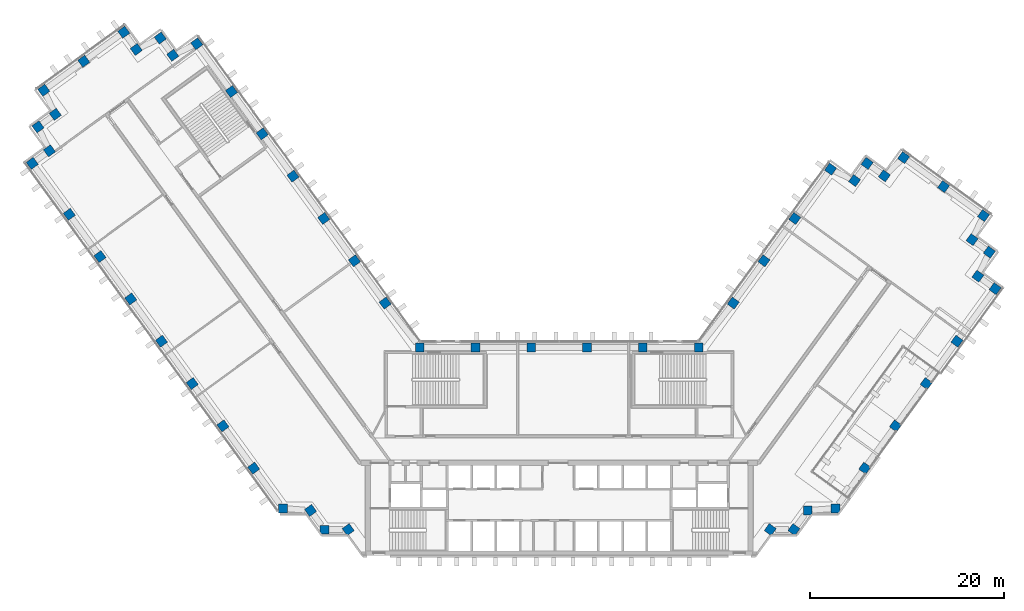
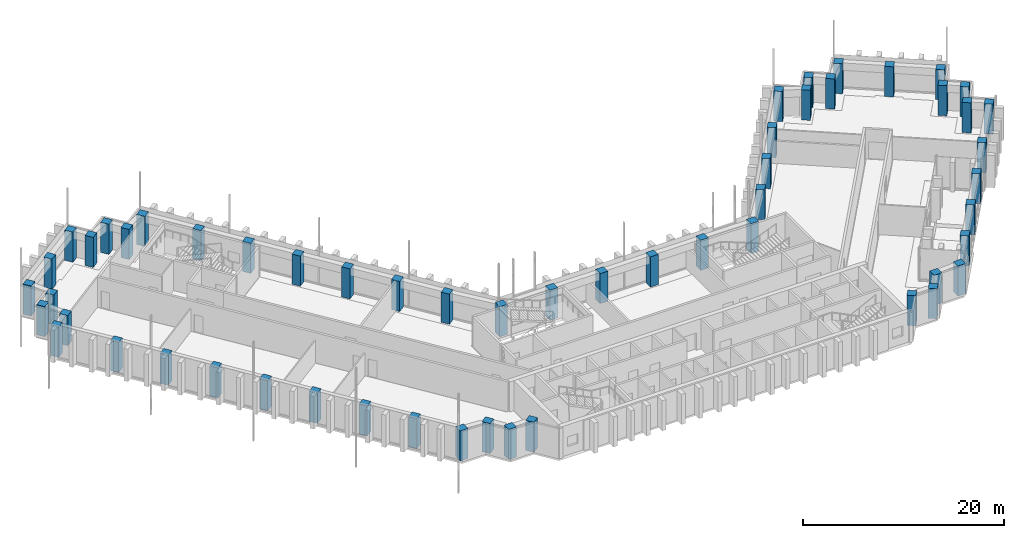
# One storey, part 1 of 17: 56 columns.
"""IFC4 building model written with IfcOpenShell, lengths in metres."""

from ifc_helpers import new_model, si_unit, direction, frame, origin, origin_2d, place, context, subcontext, project, spatial, rectangle, extrude, material, material_profile, profile_set, type_object, element, save


model = new_model("IFC4")

# Units and contexts
model_context = context("Model", 3, precision=1e-05, world=origin(), true_north=direction((0.0, 1.0)))
body_context = subcontext(model_context, "Body", "Model", "MODEL_VIEW")
ifc_project = project(units=[si_unit("LENGTHUNIT", "METRE"), si_unit("AREAUNIT", "SQUARE_METRE"), si_unit("VOLUMEUNIT", "CUBIC_METRE"), si_unit("PLANEANGLEUNIT", "RADIAN"), si_unit("MASSUNIT", "GRAM", prefix="KILO")], contexts=[model_context])

# Site, building, storey
site_placement = place(None, origin())
site = spatial("IfcSite", under=ifc_project, at=site_placement, CompositionType="ELEMENT")
building_placement = place(site_placement, origin())
building = spatial("IfcBuilding", under=site, at=building_placement, Name="Quipu Civic Tower", CompositionType="ELEMENT")
storey_placement = place(building_placement, frame((0.0, 0.0, 101.0)))
storey = spatial("IfcBuildingStorey", under=building, at=storey_placement, Name="L23", CompositionType="ELEMENT", Elevation=101.0)

# Columns
ifc_material = material(Name="Concrete C60/75", Category="concrete")
ifc_material_profile = material_profile(ifc_material, rectangle(XDim=0.89990234375, YDim=0.89990234375, at=origin_2d()), Name="RC900x900")
ifc_profile_set = profile_set([ifc_material_profile], Name="Concrete C60/75")
column_type = type_object("IfcColumnType", Name="Perimeter column RC 900x900 C60/75", PredefinedType="COLUMN", material=ifc_profile_set)
for number, where, z_axis, x_axis, name in (
    (1, (-17.9736328125, 15.074951171875, 0.0), (0.0, 0.0, 1.0), (-0.587785252292, 0.809016994375, 0.0), "Column L23 W-IN-01"),
    (2, (-21.1474609375, 19.44384765625, 0.0), (0.0, 0.0, 1.0), (-0.587785252292, 0.809016994375, 0.0), "Column L23 W-IN-02"),
    (3, (-24.3212890625, 23.8125, 0.0), (0.0, 0.0, 1.0), (-0.587785252292, 0.809016994375, 0.0), "Column L23 W-IN-03"),
    (4, (-27.4951171875, 28.181396484375, 0.0), (0.0, 0.0, 1.0), (-0.587785252292, 0.809016994375, 0.0), "Column L23 W-IN-04"),
    (5, (-30.6689453125, 32.55029296875, 0.0), (0.0, 0.0, 1.0), (-0.587785252292, 0.809016994375, 0.0), "Column L23 W-IN-05"),
    (6, (-33.843017578125, 36.919189453125, 0.0), (0.0, 0.0, 1.0), (-0.587785252292, 0.809016994375, 0.0), "Column L23 W-IN-06"),
    (7, (-37.425048828125, 41.85009765625, 0.0), (0.0, 0.0, 1.0), (-0.587785252292, 0.809016994375, 0.0), "Column L23 T-Wi.0-W50"),
    (8, (-39.905517578125, 40.666015625, 0.0), (0.0, 0.0, 1.0), (-0.587785252292, 0.809016994375, 0.0), "Column L23 T-Wi.1-W50"),
    (9, (-41.199951171875, 42.445068359375, 0.0), (0.0, 0.0, 1.0), (-0.587785252292, 0.809016994375, 0.0), "Column L23 T-Wi.2-W50"),
    (10, (-43.674560546875, 41.264892578125, 0.0), (0.0, 0.0, 1.0), (-0.809016994375, -0.587785252292, 0.0), "Column L23 T-Wi.3-W50"),
    (11, (-44.969970703125, 43.044921875, 0.0), (0.0, 0.0, 1.0), (-0.809016994375, -0.587785252292, 0.0), "Column L23 T-Wi.4-W50"),
    (12, (-49.095703125, 40.046875, 0.0), (0.0, 0.0, 1.0), (-0.809016994375, -0.587785252292, 0.0), "Column L23 TIP-W-01-W50"),
    (13, (-53.219970703125, 37.050048828125, 0.0), (0.0, 0.0, 1.0), (0.587785252292, -0.809016994375, 0.0), "Column L23 T-Wo.0-W50"),
    (14, (-52.038818359375, 34.571044921875, 0.0), (0.0, 0.0, 1.0), (-0.809016994375, -0.587785252292, 0.0), "Column L23 T-Wo.1-W50"),
    (15, (-53.820068359375, 33.27490234375, 0.0), (0.0, 0.0, 1.0), (0.587785252292, -0.809016994375, 0.0), "Column L23 T-Wo.2-W50"),
    (16, (-52.635986328125, 30.799560546875, 0.0), (0.0, 0.0, 1.0), (-0.809016994375, -0.587785252292, 0.0), "Column L23 T-Wo.3-W50"),
    (17, (-54.4150390625, 29.5048828125, 0.0), (0.0, 0.0, 1.0), (0.587785252292, -0.809016994375, 0.0), "Column L23 T-Wo.4-W50"),
    (18, (-50.59228515625, 24.243408203125, 0.0), (0.0, 0.0, 1.0), (0.587785252292, -0.809016994375, 0.0), "Column L23 W-OUT-07"),
    (19, (-47.41845703125, 19.874755859375, 0.0), (0.0, 0.0, 1.0), (0.587785252292, -0.809016994375, 0.0), "Column L23 W-OUT-06"),
    (20, (-44.244384765625, 15.506103515625, 0.0), (0.0, 0.0, 1.0), (0.587785252292, -0.809016994375, 0.0), "Column L23 W-OUT-05"),
    (21, (-41.0703125, 11.137451171875, 0.0), (0.0, 0.0, 1.0), (0.587785252292, -0.809016994375, 0.0), "Column L23 W-OUT-04"),
    (22, (-37.896240234375, 6.768798828125, 0.0), (0.0, 0.0, 1.0), (0.587785252292, -0.809016994375, 0.0), "Column L23 W-OUT-03"),
    (23, (-34.722412109375, 2.39990234375, 0.0), (0.0, 0.0, 1.0), (0.587785252292, -0.809016994375, 0.0), "Column L23 W-OUT-02"),
    (24, (-31.54833984375, -1.96875, 0.0), (0.0, 0.0, 1.0), (0.587785252292, -0.809016994375, 0.0), "Column L23 W-OUT-01"),
    (25, (-28.52490234375, -6.1298828125, 0.0), (0.0, 0.0, 1.0), (1.0, 0.0, 0.0), "Column L23 J-Wo.0"),
    (26, (-25.67431640625, -6.3369140625, 0.0), (0.0, 0.0, 1.0), (0.587785252292, -0.809016994375, 0.0), "Column L23 J-Wo.1"),
    (27, (-24.235107421875, -8.31494140625, 0.0), (0.0, 0.0, 1.0), (1.0, 0.0, 0.0), "Column L23 J-Wo.2"),
    (28, (-21.791748046875, -8.31494140625, 0.0), (0.0, 0.0, 1.0), (0.587785252292, -0.809016994375, 0.0), "Column L23 J-Wo.3"),
    (29, (21.791748046875, -8.31494140625, 0.0), (0.0, 0.0, 1.0), (0.587785252292, 0.809016994375, 0.0), "Column L23 J-Eo.1"),
    (30, (24.235107421875, -8.31494140625, 0.0), (0.0, 0.0, 1.0), (0.587785252292, 0.809016994375, 0.0), "Column L23 J-Eo.2"),
    (31, (25.67431640625, -6.3369140625, 0.0), (0.0, 0.0, 1.0), (1.0, 0.0, 0.0), "Column L23 J-Eo.3"),
    (32, (28.52490234375, -6.1298828125, 0.0), (0.0, 0.0, 1.0), (1.0, 0.0, 0.0), "Column L23 J-Eo.4"),
    (33, (31.54833984375, -1.96875, 0.0), (0.0, 0.0, 1.0), (0.587785252292, 0.809016994375, 0.0), "Column L23 E-OUT-01"),
    (34, (34.722412109375, 2.39990234375, 0.0), (0.0, 0.0, 1.0), (0.587785252292, 0.809016994375, 0.0), "Column L23 E-OUT-02"),
    (35, (37.896240234375, 6.768798828125, 0.0), (0.0, 0.0, 1.0), (0.587785252292, 0.809016994375, 0.0), "Column L23 E-OUT-03"),
    (36, (41.0703125, 11.137451171875, 0.0), (0.0, 0.0, 1.0), (0.587785252292, 0.809016994375, 0.0), "Column L23 E-OUT-04"),
    (37, (45.010009765625, 16.56005859375, 0.0), (0.0, 0.0, 1.0), (0.587785252292, 0.809016994375, 0.0), "Column L23 T-Eo.0-E34"),
    (38, (43.23095703125, 17.8544921875, 0.0), (0.0, 0.0, 1.0), (0.587785252292, 0.809016994375, 0.0), "Column L23 T-Eo.1-E34"),
    (39, (44.4150390625, 20.3349609375, 0.0), (0.0, 0.0, 1.0), (0.587785252292, 0.809016994375, 0.0), "Column L23 T-Eo.2-E34"),
    (40, (42.635009765625, 21.626220703125, 0.0), (0.0, 0.0, 1.0), (-0.809016994375, 0.587785252292, 0.0), "Column L23 T-Eo.3-E34"),
    (41, (43.81494140625, 24.10498046875, 0.0), (0.0, 0.0, 1.0), (-0.809016994375, 0.587785252292, 0.0), "Column L23 T-Eo.4-E34"),
    (42, (39.690673828125, 27.10205078125, 0.0), (0.0, 0.0, 1.0), (-0.809016994375, 0.587785252292, 0.0), "Column L23 TIP-E-01-E34"),
    (43, (35.56494140625, 30.10009765625, 0.0), (0.0, 0.0, 1.0), (-0.587785252292, -0.809016994375, 0.0), "Column L23 T-Ei.0-E34"),
    (44, (33.573974609375, 28.20947265625, 0.0), (0.0, 0.0, 1.0), (-0.809016994375, 0.587785252292, 0.0), "Column L23 T-Ei.1-E34"),
    (45, (31.794921875, 29.5, 0.0), (0.0, 0.0, 1.0), (-0.587785252292, -0.809016994375, 0.0), "Column L23 T-Ei.2-E34"),
    (46, (30.498779296875, 27.72265625, 0.0), (0.0, 0.0, 1.0), (-0.809016994375, 0.587785252292, 0.0), "Column L23 T-Ei.3-E34"),
    (47, (28.02001953125, 28.905029296875, 0.0), (0.0, 0.0, 1.0), (-0.809016994375, 0.587785252292, 0.0), "Column L23 T-Ei.4-E34"),
    (48, (24.3212890625, 23.8125, 0.0), (0.0, 0.0, 1.0), (-0.587785252292, -0.809016994375, 0.0), "Column L23 E-IN-03"),
    (49, (21.1474609375, 19.44384765625, 0.0), (0.0, 0.0, 1.0), (-0.587785252292, -0.809016994375, 0.0), "Column L23 E-IN-02"),
    (50, (17.9736328125, 15.074951171875, 0.0), (0.0, 0.0, 1.0), (-0.587785252292, -0.809016994375, 0.0), "Column L23 E-IN-01"),
    (51, (14.395263671875, 10.5, 0.0), (0.0, 0.0, 1.0), (-1.0, 0.0, 0.0), "Column L23 J-Ei.0"),
    (52, (8.63720703125, 10.5, 0.0), (0.0, 0.0, 1.0), (-1.0, 0.0, 0.0), "Column L23 FRONT-01"),
    (53, (2.87890625, 10.5, 0.0), (0.0, 0.0, 1.0), (-1.0, 0.0, 0.0), "Column L23 FRONT-02"),
    (54, (-2.87890625, 10.5, 0.0), (0.0, 0.0, 1.0), (-1.0, 0.0, 0.0), "Column L23 FRONT-03"),
    (55, (-8.63720703125, 10.5, 0.0), (0.0, 0.0, 1.0), (-1.0, 0.0, 0.0), "Column L23 FRONT-04"),
    (56, (-14.395263671875, 10.5, 0.0), (0.0, 0.0, 1.0), (-1.0, 0.0, 0.0), "Column L23 J-Wi.0"),
):
    element("IfcColumn", number, at=place(storey_placement, frame(where, z_axis=z_axis, x_axis=x_axis)), inside=storey, type_object=column_type, Name=name, PredefinedType="COLUMN", context=body_context, shape_type="SweptSolid", body=[
        extrude(rectangle(XDim=0.89990234375, YDim=0.89990234375, at=origin_2d()), origin(), (0.0, 0.0, 1.0), 3.64990234375),
    ])

save(model, "model.ifc")
